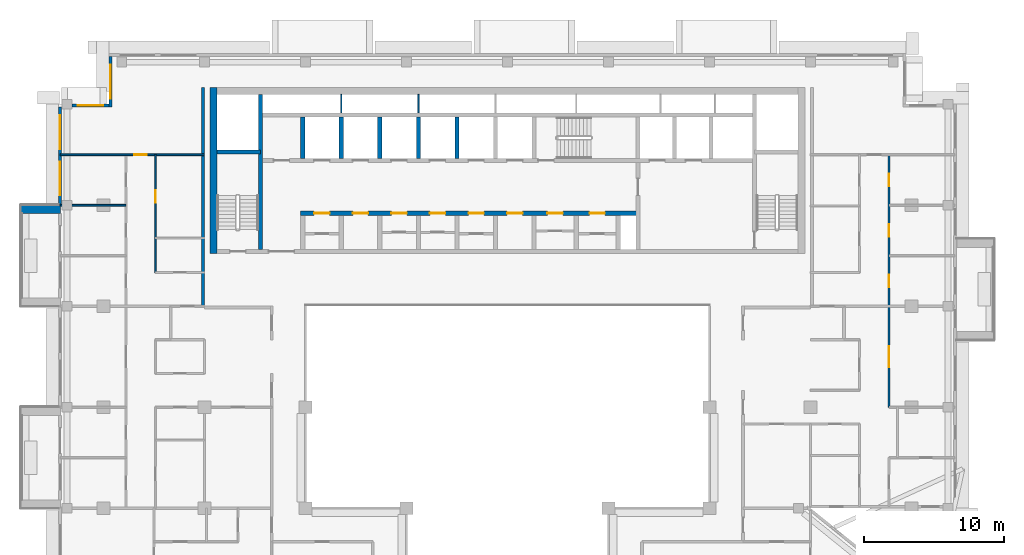
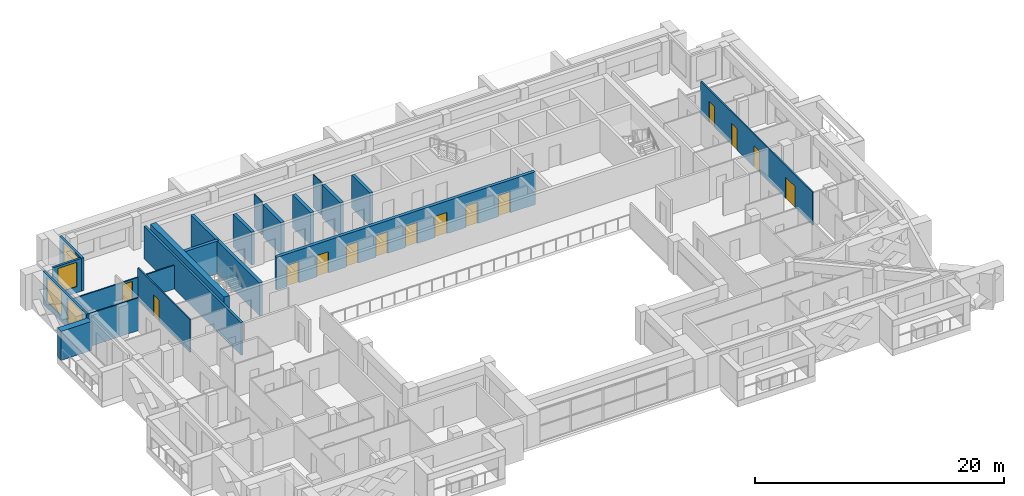
# One storey, part 10 of 19: 20 walls, 14 doors, 4 windows, 18 openings.
"""IFC4 building model written with IfcOpenShell, lengths in metres."""

from ifc_helpers import new_model, si_unit, direction, frame, frame_2d, origin, place, context, subcontext, project, spatial, rectangle, extrude, material, layer, layer_set, type_object, element, fill, save


model = new_model("IFC4")

# Units and contexts
model_context = context("Model", 3, precision=1e-05, world=origin(), true_north=direction((0.0, 1.0)))
body_context = subcontext(model_context, "Body", "Model", "MODEL_VIEW")
ifc_project = project(units=[si_unit("LENGTHUNIT", "METRE"), si_unit("AREAUNIT", "SQUARE_METRE"), si_unit("VOLUMEUNIT", "CUBIC_METRE"), si_unit("PLANEANGLEUNIT", "RADIAN"), si_unit("MASSUNIT", "GRAM", prefix="KILO")], contexts=[model_context])

# Site, building, storey
site_placement = place(None, origin())
site = spatial("IfcSite", under=ifc_project, at=site_placement, CompositionType="ELEMENT")
building_placement = place(site_placement, origin())
building = spatial("IfcBuilding", under=site, at=building_placement, Name="Saffron Iwan Residences", CompositionType="ELEMENT")
storey_placement = place(building_placement, frame((0.0, 0.0, 225.5)))
storey = spatial("IfcBuildingStorey", under=building, at=storey_placement, Name="L60", CompositionType="ELEMENT", Elevation=225.5)

# Wall
ifc_material_1 = material(Name="Concrete C50/60 white painted", Category="concrete")
ifc_layer_1 = layer(ifc_material_1, 0.60009765625)
ifc_layer_set_1 = layer_set([ifc_layer_1], Name="Concrete C50/60 white painted")
wall_type_1 = type_object("IfcWallType", Name="BALCONY FIN 600", PredefinedType="SOLIDWALL", material=ifc_layer_set_1)
wall_1_placement = place(storey_placement, frame((18.550048828125, 69.300048828125, 0.0), z_axis=(0.0, 0.0, 1.0), x_axis=(-1.0, 0.0, 0.0)))
element("IfcWall", 1, at=wall_1_placement, inside=storey, type_object=wall_type_1, Name="Balcony fin L60 F8-0a", PredefinedType="SOLIDWALL", context=body_context, shape_type="SweptSolid", body=[
    extrude(rectangle(XDim=2.85009765625, YDim=0.60009765625, at=frame_2d((1.425048828125, 0.0))), origin(), (0.0, 0.0, 1.0), 2.85009765625),
])

# Wall, opening, window
ifc_material_2 = material(Name="Concrete C40/50", Category="concrete")
ifc_layer_2 = layer(ifc_material_2, 0.199951171875)
ifc_layer_set_2 = layer_set([ifc_layer_2], Name="Concrete C40/50")
wall_type_2 = type_object("IfcWallType", Name="EXTERNAL WALL 200", PredefinedType="SOLIDWALL", material=ifc_layer_set_2)
wall_2_placement = place(storey_placement, frame((22.10009765625, 80.199951171875, 0.0), z_axis=(0.0, 0.0, 1.0), x_axis=(0.0, -1.0, 0.0)))
wall_2 = element("IfcWall", 2, at=wall_2_placement, inside=storey, type_object=wall_type_2, Name="External wall L60 F6.0", PredefinedType="SOLIDWALL", context=body_context, shape_type="SweptSolid", body=[
    extrude(rectangle(XDim=3.599853515625, YDim=0.199951171875, at=frame_2d((1.7998046875, 0.0))), origin(), (0.0, 0.0, 1.0), 3.219970703125),
])
opening_1_placement = place(wall_2_placement, frame((0.60009765625, 0.0, 0.60009765625)))
opening_1 = element("IfcOpeningElement", 3, at=opening_1_placement, cuts=wall_2, Name="Opening W1", PredefinedType="OPENING", context=body_context, shape_type="SweptSolid", body=[
    extrude(rectangle(XDim=2.39990234375, YDim=2.39990234375, at=frame_2d((1.199951171875, 1.199951171875))), frame((0.0, 0.10986328125, 0.0), z_axis=(0.0, -1.0, 0.0), x_axis=(1.0, 0.0, 0.0)), (0.0, 0.0, 1.0), 0.219970703125),
])
ifc_material_3 = material(Name="Clear glass, laminated double glazed", Category="glass")
window_type_1 = type_object("IfcWindowType", Name="WINDOW 2400 x 2400", PartitioningType="DOUBLE_PANEL_VERTICAL", PredefinedType="WINDOW", material=ifc_material_3)
window_1_placement = place(opening_1_placement, origin())
window_1 = element("IfcWindow", 4, at=window_1_placement, inside=storey, type_object=window_type_1, Name="Window L60 F6.0", OverallHeight=2.39990234375, OverallWidth=2.39990234375, PartitioningType="DOUBLE_PANEL_VERTICAL", PredefinedType="WINDOW", context=body_context, shape_type="SweptSolid", body=[
    extrude(rectangle(XDim=2.39990234375, YDim=2.39990234375, at=frame_2d((1.199951171875, 1.199951171875))), frame((0.0, 0.030029296875, 0.0), z_axis=(0.0, -1.0, 0.0), x_axis=(1.0, 0.0, 0.0)), (0.0, 0.0, 1.0), 0.06005859375),
])
fill(opening_1, window_1)

wall_3_placement = place(storey_placement, frame((22.0, 76.699951171875, 0.0), z_axis=(0.0, 0.0, 1.0), x_axis=(-1.0, 0.0, 0.0)))
wall_3 = element("IfcWall", 5, at=wall_3_placement, inside=storey, type_object=wall_type_2, Name="External wall L60 F7.0", PredefinedType="SOLIDWALL", context=body_context, shape_type="SweptSolid", body=[
    extrude(rectangle(XDim=2.64990234375, YDim=0.199951171875, at=frame_2d((1.324951171875, 0.0))), origin(), (0.0, 0.0, 1.0), 3.219970703125),
])
opening_2_placement = place(wall_3_placement, frame((0.425048828125, 0.0, 0.60009765625)))
opening_2 = element("IfcOpeningElement", 6, at=opening_2_placement, cuts=wall_3, Name="Opening W8", PredefinedType="OPENING", context=body_context, shape_type="SweptSolid", body=[
    extrude(rectangle(XDim=1.800048828125, YDim=2.39990234375, at=frame_2d((0.89990234375, 1.199951171875))), frame((0.0, 0.10986328125, 0.0), z_axis=(0.0, -1.0, 0.0), x_axis=(1.0, 0.0, 0.0)), (0.0, 0.0, 1.0), 0.219970703125),
])
window_type_2 = type_object("IfcWindowType", Name="WINDOW 1800 x 2400", PartitioningType="DOUBLE_PANEL_VERTICAL", PredefinedType="WINDOW", material=ifc_material_3)
window_2_placement = place(opening_2_placement, origin())
window_2 = element("IfcWindow", 7, at=window_2_placement, inside=storey, type_object=window_type_2, Name="Window L60 F7.0", OverallHeight=2.39990234375, OverallWidth=1.800048828125, PartitioningType="DOUBLE_PANEL_VERTICAL", PredefinedType="WINDOW", context=body_context, shape_type="SweptSolid", body=[
    extrude(rectangle(XDim=1.800048828125, YDim=2.39990234375, at=frame_2d((0.89990234375, 1.199951171875))), frame((0.0, 0.030029296875, 0.0), z_axis=(0.0, -1.0, 0.0), x_axis=(1.0, 0.0, 0.0)), (0.0, 0.0, 1.0), 0.06005859375),
])
fill(opening_2, window_2)

# Wall, openings, windows
wall_4_placement = place(storey_placement, frame((18.5, 76.60009765625, 0.0), z_axis=(0.0, 0.0, 1.0), x_axis=(0.0, -1.0, 0.0)))
wall_4 = element("IfcWall", 8, at=wall_4_placement, inside=storey, type_object=wall_type_2, Name="External wall L60 F8.0", PredefinedType="SOLIDWALL", context=body_context, shape_type="SweptSolid", body=[
    extrude(rectangle(XDim=7.0, YDim=0.199951171875, at=frame_2d((3.5, 0.0))), origin(), (0.0, 0.0, 1.0), 3.219970703125),
])
opening_3_placement = place(wall_4_placement, frame((3.89990234375, 0.0, 0.60009765625)))
opening_3 = element("IfcOpeningElement", 9, at=opening_3_placement, cuts=wall_4, Name="Opening W1", PredefinedType="OPENING", context=body_context, shape_type="SweptSolid", body=[
    extrude(rectangle(XDim=2.39990234375, YDim=2.39990234375, at=frame_2d((1.199951171875, 1.199951171875))), frame((0.0, 0.10986328125, 0.0), z_axis=(0.0, -1.0, 0.0), x_axis=(1.0, 0.0, 0.0)), (0.0, 0.0, 1.0), 0.219970703125),
])
opening_4_placement = place(wall_4_placement, frame((0.60009765625, 0.0, 0.60009765625)))
opening_4 = element("IfcOpeningElement", 10, at=opening_4_placement, cuts=wall_4, Name="Opening W1", PredefinedType="OPENING", context=body_context, shape_type="SweptSolid", body=[
    extrude(rectangle(XDim=2.39990234375, YDim=2.39990234375, at=frame_2d((1.199951171875, 1.199951171875))), frame((0.0, 0.10986328125, 0.0), z_axis=(0.0, -1.0, 0.0), x_axis=(1.0, 0.0, 0.0)), (0.0, 0.0, 1.0), 0.219970703125),
])
window_3_placement = place(opening_3_placement, origin())
window_3 = element("IfcWindow", 11, at=window_3_placement, inside=storey, type_object=window_type_1, Name="Window L60 F8.0", OverallHeight=2.39990234375, OverallWidth=2.39990234375, PartitioningType="DOUBLE_PANEL_VERTICAL", PredefinedType="WINDOW", context=body_context, shape_type="SweptSolid", body=[
    extrude(rectangle(XDim=2.39990234375, YDim=2.39990234375, at=frame_2d((1.199951171875, 1.199951171875))), frame((0.0, 0.030029296875, 0.0), z_axis=(0.0, -1.0, 0.0), x_axis=(1.0, 0.0, 0.0)), (0.0, 0.0, 1.0), 0.06005859375),
])
fill(opening_3, window_3)
window_4_placement = place(opening_4_placement, origin())
window_4 = element("IfcWindow", 12, at=window_4_placement, inside=storey, type_object=window_type_1, Name="Window L60 F8.1", OverallHeight=2.39990234375, OverallWidth=2.39990234375, PartitioningType="DOUBLE_PANEL_VERTICAL", PredefinedType="WINDOW", context=body_context, shape_type="SweptSolid", body=[
    extrude(rectangle(XDim=2.39990234375, YDim=2.39990234375, at=frame_2d((1.199951171875, 1.199951171875))), frame((0.0, 0.030029296875, 0.0), z_axis=(0.0, -1.0, 0.0), x_axis=(1.0, 0.0, 0.0)), (0.0, 0.0, 1.0), 0.06005859375),
])
fill(opening_4, window_4)

# Wall
ifc_material_4 = material(Name="Gypsum board partition")
ifc_layer_3 = layer(ifc_material_4, 0.1201171875)
ifc_layer_set_3 = layer_set([ifc_layer_3], Name="Gypsum board partition")
wall_type_3 = type_object("IfcWallType", Name="Flat partition 120", PredefinedType="PARTITIONING", material=ifc_layer_set_3)
wall_5_placement = place(storey_placement, frame((18.52490234375, 69.60009765625, 0.0), z_axis=(0.0, 0.0, 1.0), x_axis=(1.0, 0.0, 0.0)))
element("IfcWall", 13, at=wall_5_placement, inside=storey, type_object=wall_type_3, Name="W-L60-PART-h69.6-18.525", PredefinedType="PARTITIONING", context=body_context, shape_type="SweptSolid", body=[
    extrude(rectangle(XDim=4.675048828125, YDim=0.1201171875, at=frame_2d((2.33740234375, 0.0))), origin(), (0.0, 0.0, 1.0), 3.219970703125),
])

# Wall, opening, door
wall_6_placement = place(storey_placement, frame((18.52490234375, 73.199951171875, 0.0), z_axis=(0.0, 0.0, 1.0), x_axis=(1.0, 0.0, 0.0)))
wall_6 = element("IfcWall", 14, at=wall_6_placement, inside=storey, type_object=wall_type_3, Name="W-L60-PART-h73.2-18.525", PredefinedType="PARTITIONING", context=body_context, shape_type="SweptSolid", body=[
    extrude(rectangle(XDim=10.275146484375, YDim=0.1201171875, at=frame_2d((5.1376953125, 0.0))), origin(), (0.0, 0.0, 1.0), 2.320068359375),
])
opening_5_placement = place(wall_6_placement, frame((5.27490234375, 0.0, 0.0)))
opening_5 = element("IfcOpeningElement", 15, at=opening_5_placement, cuts=wall_6, Name="Opening FD2", PredefinedType="OPENING", context=body_context, shape_type="SweptSolid", body=[
    extrude(rectangle(XDim=0.89990234375, YDim=2.10009765625, at=frame_2d((0.449951171875, 1.050048828125))), frame((0.0, 0.070068359375, 0.0), z_axis=(0.0, -1.0, 0.0), x_axis=(1.0, 0.0, 0.0)), (0.0, 0.0, 1.0), 0.14013671875),
])
ifc_material_5 = material(Name="Timber door", Category="wood")
door_type_1 = type_object("IfcDoorType", Name="Flat door 900", OperationType="NOTDEFINED", PredefinedType="DOOR", material=ifc_material_5)
door_1_placement = place(opening_5_placement, origin())
door_1 = element("IfcDoor", 16, at=door_1_placement, inside=storey, type_object=door_type_1, Name="Door L60-029", OperationType="SINGLE_SWING_LEFT", OverallHeight=2.10009765625, OverallWidth=0.89990234375, PredefinedType="DOOR", context=body_context, shape_type="SweptSolid", body=[
    extrude(rectangle(XDim=0.89990234375, YDim=2.10009765625, at=frame_2d((0.449951171875, 1.050048828125))), frame((0.0, 0.02490234375, 0.0), z_axis=(0.0, -1.0, 0.0), x_axis=(1.0, 0.0, 0.0)), (0.0, 0.0, 1.0), 0.050048828125),
])
fill(opening_5, door_1)

wall_7_placement = place(storey_placement, frame((25.300048828125, 64.800048828125, 0.0), z_axis=(0.0, 0.0, 1.0), x_axis=(0.0, 1.0, 0.0)))
wall_7 = element("IfcWall", 17, at=wall_7_placement, inside=storey, type_object=wall_type_3, Name="W-L60-PART-v25.3-64.8", PredefinedType="PARTITIONING", context=body_context, shape_type="SweptSolid", body=[
    extrude(rectangle(XDim=8.39990234375, YDim=0.1201171875, at=frame_2d((4.199951171875, 0.0))), origin(), (0.0, 0.0, 1.0), 3.219970703125),
])
opening_6_placement = place(wall_7_placement, frame((4.97509765625, 0.0, 0.0)))
opening_6 = element("IfcOpeningElement", 18, at=opening_6_placement, cuts=wall_7, Name="Opening FD2", PredefinedType="OPENING", context=body_context, shape_type="SweptSolid", body=[
    extrude(rectangle(XDim=0.89990234375, YDim=2.10009765625, at=frame_2d((0.449951171875, 1.050048828125))), frame((0.0, 0.070068359375, 0.0), z_axis=(0.0, -1.0, 0.0), x_axis=(1.0, 0.0, 0.0)), (0.0, 0.0, 1.0), 0.14013671875),
])
door_2_placement = place(opening_6_placement, origin())
door_2 = element("IfcDoor", 19, at=door_2_placement, inside=storey, type_object=door_type_1, Name="Door L60-031", OperationType="SINGLE_SWING_RIGHT", OverallHeight=2.10009765625, OverallWidth=0.89990234375, PredefinedType="DOOR", context=body_context, shape_type="SweptSolid", body=[
    extrude(rectangle(XDim=0.89990234375, YDim=2.10009765625, at=frame_2d((0.449951171875, 1.050048828125))), frame((0.0, 0.02490234375, 0.0), z_axis=(0.0, -1.0, 0.0), x_axis=(1.0, 0.0, 0.0)), (0.0, 0.0, 1.0), 0.050048828125),
])
fill(opening_6, door_2)

# Wall, openings, doors
wall_8_placement = place(storey_placement, frame((77.60009765625, 55.199951171875, 0.0), z_axis=(0.0, 0.0, 1.0), x_axis=(0.0, 1.0, 0.0)))
wall_8 = element("IfcWall", 20, at=wall_8_placement, inside=storey, type_object=wall_type_3, Name="W-L60-PART-v77.6-55.2", PredefinedType="PARTITIONING", context=body_context, shape_type="SweptSolid", body=[
    extrude(rectangle(XDim=18.0, YDim=0.1201171875, at=frame_2d((9.0, 0.0))), origin(), (0.0, 0.0, 1.0), 3.219970703125),
])
opening_7_placement = place(wall_8_placement, frame((2.85009765625, 0.0, 0.0)))
opening_7 = element("IfcOpeningElement", 21, at=opening_7_placement, cuts=wall_8, Name="Opening FD4", PredefinedType="OPENING", context=body_context, shape_type="SweptSolid", body=[
    extrude(rectangle(XDim=1.5, YDim=2.10009765625, at=frame_2d((0.75, 1.050048828125))), frame((0.0, 0.070068359375, 0.0), z_axis=(0.0, -1.0, 0.0), x_axis=(1.0, 0.0, 0.0)), (0.0, 0.0, 1.0), 0.14013671875),
])
opening_8_placement = place(wall_8_placement, frame((8.550048828125, 0.0, 0.0)))
opening_8 = element("IfcOpeningElement", 22, at=opening_8_placement, cuts=wall_8, Name="Opening FD2", PredefinedType="OPENING", context=body_context, shape_type="SweptSolid", body=[
    extrude(rectangle(XDim=0.89990234375, YDim=2.10009765625, at=frame_2d((0.449951171875, 1.050048828125))), frame((0.0, 0.070068359375, 0.0), z_axis=(0.0, -1.0, 0.0), x_axis=(1.0, 0.0, 0.0)), (0.0, 0.0, 1.0), 0.14013671875),
])
opening_9_placement = place(wall_8_placement, frame((12.14990234375, 0.0, 0.0)))
opening_9 = element("IfcOpeningElement", 23, at=opening_9_placement, cuts=wall_8, Name="Opening FD2", PredefinedType="OPENING", context=body_context, shape_type="SweptSolid", body=[
    extrude(rectangle(XDim=0.89990234375, YDim=2.10009765625, at=frame_2d((0.449951171875, 1.050048828125))), frame((0.0, 0.070068359375, 0.0), z_axis=(0.0, -1.0, 0.0), x_axis=(1.0, 0.0, 0.0)), (0.0, 0.0, 1.0), 0.14013671875),
])
opening_10_placement = place(wall_8_placement, frame((15.75, 0.0, 0.0)))
opening_10 = element("IfcOpeningElement", 24, at=opening_10_placement, cuts=wall_8, Name="Opening FD2", PredefinedType="OPENING", context=body_context, shape_type="SweptSolid", body=[
    extrude(rectangle(XDim=0.89990234375, YDim=2.10009765625, at=frame_2d((0.449951171875, 1.050048828125))), frame((0.0, 0.070068359375, 0.0), z_axis=(0.0, -1.0, 0.0), x_axis=(1.0, 0.0, 0.0)), (0.0, 0.0, 1.0), 0.14013671875),
])
door_type_2 = type_object("IfcDoorType", Name="Double door 1500", OperationType="NOTDEFINED", PredefinedType="DOOR", material=ifc_material_5)
door_3_placement = place(opening_7_placement, origin())
door_3 = element("IfcDoor", 25, at=door_3_placement, inside=storey, type_object=door_type_2, Name="Door L60-019", OperationType="SINGLE_SWING_RIGHT", OverallHeight=2.10009765625, OverallWidth=1.5, PredefinedType="DOOR", context=body_context, shape_type="SweptSolid", body=[
    extrude(rectangle(XDim=1.5, YDim=2.10009765625, at=frame_2d((0.75, 1.050048828125))), frame((0.0, 0.02490234375, 0.0), z_axis=(0.0, -1.0, 0.0), x_axis=(1.0, 0.0, 0.0)), (0.0, 0.0, 1.0), 0.050048828125),
])
fill(opening_7, door_3)
door_4_placement = place(opening_8_placement, origin())
door_4 = element("IfcDoor", 26, at=door_4_placement, inside=storey, type_object=door_type_1, Name="Door L60-034", OperationType="SINGLE_SWING_RIGHT", OverallHeight=2.10009765625, OverallWidth=0.89990234375, PredefinedType="DOOR", context=body_context, shape_type="SweptSolid", body=[
    extrude(rectangle(XDim=0.89990234375, YDim=2.10009765625, at=frame_2d((0.449951171875, 1.050048828125))), frame((0.0, 0.02490234375, 0.0), z_axis=(0.0, -1.0, 0.0), x_axis=(1.0, 0.0, 0.0)), (0.0, 0.0, 1.0), 0.050048828125),
])
fill(opening_8, door_4)
door_5_placement = place(opening_9_placement, origin())
door_5 = element("IfcDoor", 27, at=door_5_placement, inside=storey, type_object=door_type_1, Name="Door L60-035", OperationType="SINGLE_SWING_LEFT", OverallHeight=2.10009765625, OverallWidth=0.89990234375, PredefinedType="DOOR", context=body_context, shape_type="SweptSolid", body=[
    extrude(rectangle(XDim=0.89990234375, YDim=2.10009765625, at=frame_2d((0.449951171875, 1.050048828125))), frame((0.0, 0.02490234375, 0.0), z_axis=(0.0, -1.0, 0.0), x_axis=(1.0, 0.0, 0.0)), (0.0, 0.0, 1.0), 0.050048828125),
])
fill(opening_9, door_5)
door_6_placement = place(opening_10_placement, origin())
door_6 = element("IfcDoor", 28, at=door_6_placement, inside=storey, type_object=door_type_1, Name="Door L60-036", OperationType="SINGLE_SWING_LEFT", OverallHeight=2.10009765625, OverallWidth=0.89990234375, PredefinedType="DOOR", context=body_context, shape_type="SweptSolid", body=[
    extrude(rectangle(XDim=0.89990234375, YDim=2.10009765625, at=frame_2d((0.449951171875, 1.050048828125))), frame((0.0, 0.02490234375, 0.0), z_axis=(0.0, -1.0, 0.0), x_axis=(1.0, 0.0, 0.0)), (0.0, 0.0, 1.0), 0.050048828125),
])
fill(opening_10, door_6)

# Walls
ifc_material_6 = material(Name="Fire-rated gypsum board wall")
ifc_layer_4 = layer(ifc_material_6, 0.199951171875)
ifc_layer_set_4 = layer_set([ifc_layer_4], Name="Fire-rated gypsum board wall")
wall_type_4 = type_object("IfcWallType", Name="Gallery wall 200", PredefinedType="SOLIDWALL", material=ifc_layer_set_4)
wall_9_placement = place(storey_placement, frame((28.699951171875, 62.39990234375, 0.0), z_axis=(0.0, 0.0, 1.0), x_axis=(0.0, 1.0, 0.0)))
element("IfcWall", 29, at=wall_9_placement, inside=storey, type_object=wall_type_4, Name="W-L60-CORR-v28.8-62.4", PredefinedType="SOLIDWALL", context=body_context, shape_type="SweptSolid", body=[
    extrude(rectangle(XDim=15.60009765625, YDim=0.199951171875, at=frame_2d((7.800048828125, 0.0))), origin(), (0.0, 0.0, 1.0), 3.219970703125),
])
ifc_material_7 = material(Name="Fire-rated plasterboard partition")
ifc_layer_5 = layer(ifc_material_7, 0.10009765625)
ifc_layer_set_5 = layer_set([ifc_layer_5], Name="Fire-rated plasterboard partition")
wall_type_5 = type_object("IfcWallType", Name="Riser partition 100", PredefinedType="PARTITIONING", material=ifc_layer_set_5)
for number, where, z_axis, x_axis, name in (
    (30, (38.550048828125, 76.175048828125, 0.0), (0.0, 0.0, 1.0), (0.0, 1.0, 0.0), "Core partition P07"),
    (31, (44.050048828125, 76.175048828125, 0.0), (0.0, 0.0, 1.0), (0.0, 1.0, 0.0), "Core partition P08"),
):
    element("IfcWall", number, at=place(storey_placement, frame(where, z_axis=z_axis, x_axis=x_axis)), inside=storey, type_object=wall_type_5, Name=name, PredefinedType="PARTITIONING", context=body_context, shape_type="SweptSolid", body=[
        extrude(rectangle(XDim=1.324951171875, YDim=0.10009765625, at=frame_2d((0.66259765625, 0.0))), origin(), (0.0, 0.0, 1.0), 3.219970703125),
    ])

# Wall, openings, doors
ifc_layer_6 = layer(ifc_material_2, 0.300048828125)
ifc_layer_set_6 = layer_set([ifc_layer_6], Name="Concrete C40/50")
wall_type_6 = type_object("IfcWallType", Name="WALL CORE 300 C40/50 3220 HIGH", PredefinedType="SHEAR", material=ifc_layer_set_6)
wall_10_placement = place(storey_placement, frame((35.64990234375, 69.02490234375, 0.0), z_axis=(0.0, 0.0, 1.0), x_axis=(1.0, 0.0, 0.0)))
wall_10 = element("IfcWall", 32, at=wall_10_placement, inside=storey, type_object=wall_type_6, Name="Core wall", PredefinedType="SHEAR", context=body_context, shape_type="SweptSolid", body=[
    extrude(rectangle(XDim=24.050048828125, YDim=0.300048828125, at=frame_2d((12.02490234375, 0.0))), origin(), (0.0, 0.0, 1.0), 3.219970703125),
])
opening_11_placement = place(wall_10_placement, frame((0.97509765625, 0.0, 0.0)))
opening_11 = element("IfcOpeningElement", 33, at=opening_11_placement, cuts=wall_10, Name="Opening SR", PredefinedType="OPENING", context=body_context, shape_type="SweptSolid", body=[
    extrude(rectangle(XDim=1.10009765625, YDim=2.10009765625, at=frame_2d((0.550048828125, 1.050048828125))), frame((0.0, 0.16015625, 0.0), z_axis=(0.0, -1.0, 0.0), x_axis=(1.0, 0.0, 0.0)), (0.0, 0.0, 1.0), 0.320068359375),
])
opening_12_placement = place(wall_10_placement, frame((3.72509765625, 0.0, 0.0)))
opening_12 = element("IfcOpeningElement", 34, at=opening_12_placement, cuts=wall_10, Name="Opening SR", PredefinedType="OPENING", context=body_context, shape_type="SweptSolid", body=[
    extrude(rectangle(XDim=1.10009765625, YDim=2.10009765625, at=frame_2d((0.550048828125, 1.050048828125))), frame((0.0, 0.16015625, 0.0), z_axis=(0.0, -1.0, 0.0), x_axis=(1.0, 0.0, 0.0)), (0.0, 0.0, 1.0), 0.320068359375),
])
opening_13_placement = place(wall_10_placement, frame((6.47509765625, 0.0, 0.0)))
opening_13 = element("IfcOpeningElement", 35, at=opening_13_placement, cuts=wall_10, Name="Opening SR", PredefinedType="OPENING", context=body_context, shape_type="SweptSolid", body=[
    extrude(rectangle(XDim=1.10009765625, YDim=2.10009765625, at=frame_2d((0.550048828125, 1.050048828125))), frame((0.0, 0.16015625, 0.0), z_axis=(0.0, -1.0, 0.0), x_axis=(1.0, 0.0, 0.0)), (0.0, 0.0, 1.0), 0.320068359375),
])
opening_14_placement = place(wall_10_placement, frame((9.22509765625, 0.0, 0.0)))
opening_14 = element("IfcOpeningElement", 36, at=opening_14_placement, cuts=wall_10, Name="Opening SR", PredefinedType="OPENING", context=body_context, shape_type="SweptSolid", body=[
    extrude(rectangle(XDim=1.10009765625, YDim=2.10009765625, at=frame_2d((0.550048828125, 1.050048828125))), frame((0.0, 0.16015625, 0.0), z_axis=(0.0, -1.0, 0.0), x_axis=(1.0, 0.0, 0.0)), (0.0, 0.0, 1.0), 0.320068359375),
])
opening_15_placement = place(wall_10_placement, frame((11.97509765625, 0.0, 0.0)))
opening_15 = element("IfcOpeningElement", 37, at=opening_15_placement, cuts=wall_10, Name="Opening SR", PredefinedType="OPENING", context=body_context, shape_type="SweptSolid", body=[
    extrude(rectangle(XDim=1.10009765625, YDim=2.10009765625, at=frame_2d((0.550048828125, 1.050048828125))), frame((0.0, 0.16015625, 0.0), z_axis=(0.0, -1.0, 0.0), x_axis=(1.0, 0.0, 0.0)), (0.0, 0.0, 1.0), 0.320068359375),
])
opening_16_placement = place(wall_10_placement, frame((14.72509765625, 0.0, 0.0)))
opening_16 = element("IfcOpeningElement", 38, at=opening_16_placement, cuts=wall_10, Name="Opening SR", PredefinedType="OPENING", context=body_context, shape_type="SweptSolid", body=[
    extrude(rectangle(XDim=1.10009765625, YDim=2.10009765625, at=frame_2d((0.550048828125, 1.050048828125))), frame((0.0, 0.16015625, 0.0), z_axis=(0.0, -1.0, 0.0), x_axis=(1.0, 0.0, 0.0)), (0.0, 0.0, 1.0), 0.320068359375),
])
opening_17_placement = place(wall_10_placement, frame((17.60009765625, 0.0, 0.0)))
opening_17 = element("IfcOpeningElement", 39, at=opening_17_placement, cuts=wall_10, Name="Opening SR", PredefinedType="OPENING", context=body_context, shape_type="SweptSolid", body=[
    extrude(rectangle(XDim=1.10009765625, YDim=2.10009765625, at=frame_2d((0.550048828125, 1.050048828125))), frame((0.0, 0.16015625, 0.0), z_axis=(0.0, -1.0, 0.0), x_axis=(1.0, 0.0, 0.0)), (0.0, 0.0, 1.0), 0.320068359375),
])
opening_18_placement = place(wall_10_placement, frame((20.60009765625, 0.0, 0.0)))
opening_18 = element("IfcOpeningElement", 40, at=opening_18_placement, cuts=wall_10, Name="Opening SR", PredefinedType="OPENING", context=body_context, shape_type="SweptSolid", body=[
    extrude(rectangle(XDim=1.10009765625, YDim=2.10009765625, at=frame_2d((0.550048828125, 1.050048828125))), frame((0.0, 0.16015625, 0.0), z_axis=(0.0, -1.0, 0.0), x_axis=(1.0, 0.0, 0.0)), (0.0, 0.0, 1.0), 0.320068359375),
])
ifc_material_8 = material(Name="Steel fire door", Category="steel")
door_type_3 = type_object("IfcDoorType", Name="Service door 1100", OperationType="NOTDEFINED", PredefinedType="DOOR", material=ifc_material_8)
door_7_placement = place(opening_11_placement, origin())
door_7 = element("IfcDoor", 41, at=door_7_placement, inside=storey, type_object=door_type_3, Name="Door Refuse store", OperationType="SINGLE_SWING_RIGHT", OverallHeight=2.10009765625, OverallWidth=1.10009765625, PredefinedType="DOOR", context=body_context, shape_type="SweptSolid", body=[
    extrude(rectangle(XDim=1.10009765625, YDim=2.10009765625, at=frame_2d((0.550048828125, 1.050048828125))), frame((0.0, 0.02490234375, 0.0), z_axis=(0.0, -1.0, 0.0), x_axis=(1.0, 0.0, 0.0)), (0.0, 0.0, 1.0), 0.050048828125),
])
fill(opening_11, door_7)
door_8_placement = place(opening_12_placement, origin())
door_8 = element("IfcDoor", 42, at=door_8_placement, inside=storey, type_object=door_type_3, Name="Door Maintenance store", OperationType="SINGLE_SWING_LEFT", OverallHeight=2.10009765625, OverallWidth=1.10009765625, PredefinedType="DOOR", context=body_context, shape_type="SweptSolid", body=[
    extrude(rectangle(XDim=1.10009765625, YDim=2.10009765625, at=frame_2d((0.550048828125, 1.050048828125))), frame((0.0, 0.02490234375, 0.0), z_axis=(0.0, -1.0, 0.0), x_axis=(1.0, 0.0, 0.0)), (0.0, 0.0, 1.0), 0.050048828125),
])
fill(opening_12, door_8)
door_9_placement = place(opening_13_placement, origin())
door_9 = element("IfcDoor", 43, at=door_9_placement, inside=storey, type_object=door_type_3, Name="Door Linen store", OperationType="SINGLE_SWING_RIGHT", OverallHeight=2.10009765625, OverallWidth=1.10009765625, PredefinedType="DOOR", context=body_context, shape_type="SweptSolid", body=[
    extrude(rectangle(XDim=1.10009765625, YDim=2.10009765625, at=frame_2d((0.550048828125, 1.050048828125))), frame((0.0, 0.02490234375, 0.0), z_axis=(0.0, -1.0, 0.0), x_axis=(1.0, 0.0, 0.0)), (0.0, 0.0, 1.0), 0.050048828125),
])
fill(opening_13, door_9)
door_10_placement = place(opening_14_placement, origin())
door_10 = element("IfcDoor", 44, at=door_10_placement, inside=storey, type_object=door_type_3, Name="Door Pantry", OperationType="SINGLE_SWING_LEFT", OverallHeight=2.10009765625, OverallWidth=1.10009765625, PredefinedType="DOOR", context=body_context, shape_type="SweptSolid", body=[
    extrude(rectangle(XDim=1.10009765625, YDim=2.10009765625, at=frame_2d((0.550048828125, 1.050048828125))), frame((0.0, 0.02490234375, 0.0), z_axis=(0.0, -1.0, 0.0), x_axis=(1.0, 0.0, 0.0)), (0.0, 0.0, 1.0), 0.050048828125),
])
fill(opening_14, door_10)
door_11_placement = place(opening_15_placement, origin())
door_11 = element("IfcDoor", 45, at=door_11_placement, inside=storey, type_object=door_type_3, Name="Door Electrical room", OperationType="SINGLE_SWING_RIGHT", OverallHeight=2.10009765625, OverallWidth=1.10009765625, PredefinedType="DOOR", context=body_context, shape_type="SweptSolid", body=[
    extrude(rectangle(XDim=1.10009765625, YDim=2.10009765625, at=frame_2d((0.550048828125, 1.050048828125))), frame((0.0, 0.02490234375, 0.0), z_axis=(0.0, -1.0, 0.0), x_axis=(1.0, 0.0, 0.0)), (0.0, 0.0, 1.0), 0.050048828125),
])
fill(opening_15, door_11)
door_12_placement = place(opening_16_placement, origin())
door_12 = element("IfcDoor", 46, at=door_12_placement, inside=storey, type_object=door_type_3, Name="Door Luggage store", OperationType="SINGLE_SWING_LEFT", OverallHeight=2.10009765625, OverallWidth=1.10009765625, PredefinedType="DOOR", context=body_context, shape_type="SweptSolid", body=[
    extrude(rectangle(XDim=1.10009765625, YDim=2.10009765625, at=frame_2d((0.550048828125, 1.050048828125))), frame((0.0, 0.02490234375, 0.0), z_axis=(0.0, -1.0, 0.0), x_axis=(1.0, 0.0, 0.0)), (0.0, 0.0, 1.0), 0.050048828125),
])
fill(opening_16, door_12)
door_13_placement = place(opening_17_placement, origin())
door_13 = element("IfcDoor", 47, at=door_13_placement, inside=storey, type_object=door_type_3, Name="Door Furniture store", OperationType="SINGLE_SWING_RIGHT", OverallHeight=2.10009765625, OverallWidth=1.10009765625, PredefinedType="DOOR", context=body_context, shape_type="SweptSolid", body=[
    extrude(rectangle(XDim=1.10009765625, YDim=2.10009765625, at=frame_2d((0.550048828125, 1.050048828125))), frame((0.0, 0.02490234375, 0.0), z_axis=(0.0, -1.0, 0.0), x_axis=(1.0, 0.0, 0.0)), (0.0, 0.0, 1.0), 0.050048828125),
])
fill(opening_17, door_13)
door_14_placement = place(opening_18_placement, origin())
door_14 = element("IfcDoor", 48, at=door_14_placement, inside=storey, type_object=door_type_3, Name="Door Housekeeping store", OperationType="SINGLE_SWING_RIGHT", OverallHeight=2.10009765625, OverallWidth=1.10009765625, PredefinedType="DOOR", context=body_context, shape_type="SweptSolid", body=[
    extrude(rectangle(XDim=1.10009765625, YDim=2.10009765625, at=frame_2d((0.550048828125, 1.050048828125))), frame((0.0, 0.02490234375, 0.0), z_axis=(0.0, -1.0, 0.0), x_axis=(1.0, 0.0, 0.0)), (0.0, 0.0, 1.0), 0.050048828125),
])
fill(opening_18, door_14)

# Walls
wall_11_placement = place(storey_placement, frame((29.699951171875, 73.39990234375, 0.0), z_axis=(0.0, 0.0, 1.0), x_axis=(1.0, 0.0, 0.0)))
element("IfcWall", 49, at=wall_11_placement, inside=storey, type_object=wall_type_6, Name="Core wall", PredefinedType="SHEAR", context=body_context, shape_type="SweptSolid", body=[
    extrude(rectangle(XDim=3.10009765625, YDim=0.300048828125, at=frame_2d((1.550048828125, 0.0))), origin(), (0.0, 0.0, 1.0), 3.219970703125),
])
wall_12_placement = place(storey_placement, frame((32.800048828125, 66.449951171875, 0.0), z_axis=(0.0, 0.0, 1.0), x_axis=(0.0, 1.0, 0.0)))
element("IfcWall", 50, at=wall_12_placement, inside=storey, type_object=wall_type_6, Name="Core wall", PredefinedType="SHEAR", context=body_context, shape_type="SweptSolid", body=[
    extrude(rectangle(XDim=11.050048828125, YDim=0.300048828125, at=frame_2d((5.52490234375, 0.0))), origin(), (0.0, 0.0, 1.0), 3.219970703125),
])
for number, where, z_axis, x_axis, name in (
    (51, (35.800048828125, 72.925048828125, 0.0), (0.0, 0.0, 1.0), (0.0, 1.0, 0.0), "Core wall"),
    (52, (38.550048828125, 72.925048828125, 0.0), (0.0, 0.0, 1.0), (0.0, 1.0, 0.0), "Core wall"),
    (53, (41.300048828125, 72.925048828125, 0.0), (0.0, 0.0, 1.0), (0.0, 1.0, 0.0), "Core wall"),
    (54, (44.050048828125, 72.925048828125, 0.0), (0.0, 0.0, 1.0), (0.0, 1.0, 0.0), "Core wall"),
    (55, (46.800048828125, 72.925048828125, 0.0), (0.0, 0.0, 1.0), (0.0, 1.0, 0.0), "Core wall"),
):
    element("IfcWall", number, at=place(storey_placement, frame(where, z_axis=z_axis, x_axis=x_axis)), inside=storey, type_object=wall_type_6, Name=name, PredefinedType="SHEAR", context=body_context, shape_type="SweptSolid", body=[
        extrude(rectangle(XDim=2.949951171875, YDim=0.300048828125, at=frame_2d((1.47509765625, 0.0))), origin(), (0.0, 0.0, 1.0), 3.219970703125),
    ])
ifc_layer_7 = layer(ifc_material_2, 0.5)
ifc_layer_set_7 = layer_set([ifc_layer_7], Name="Concrete C40/50")
wall_type_7 = type_object("IfcWallType", Name="WALL CORE 500 C40/50 3220 HIGH", PredefinedType="SHEAR", material=ifc_layer_set_7)
wall_13_placement = place(storey_placement, frame((29.449951171875, 66.14990234375, 0.0), z_axis=(0.0, 0.0, 1.0), x_axis=(0.0, 1.0, 0.0)))
element("IfcWall", 56, at=wall_13_placement, inside=storey, type_object=wall_type_7, Name="Core wall", PredefinedType="SHEAR", context=body_context, shape_type="SweptSolid", body=[
    extrude(rectangle(XDim=11.85009765625, YDim=0.5, at=frame_2d((5.925048828125, 0.0))), origin(), (0.0, 0.0, 1.0), 3.219970703125),
])

save(model, "model.ifc")
